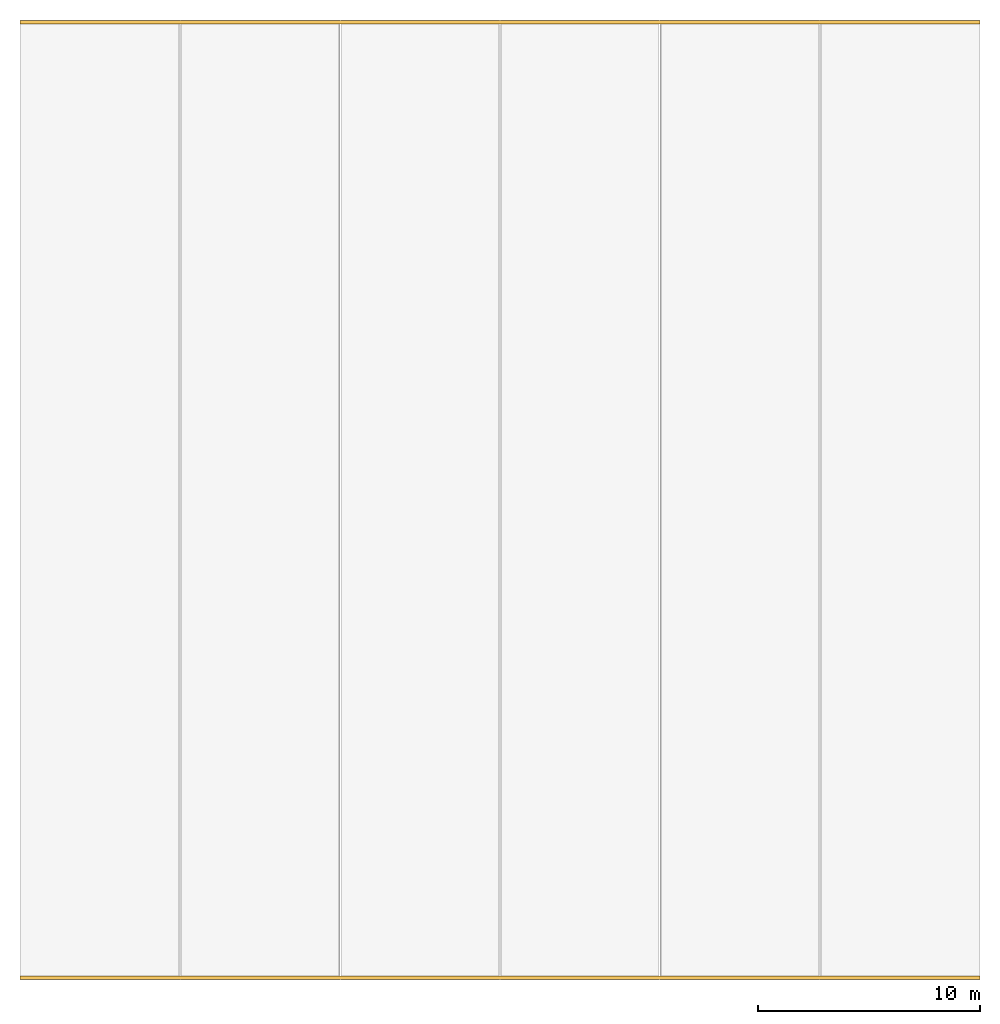
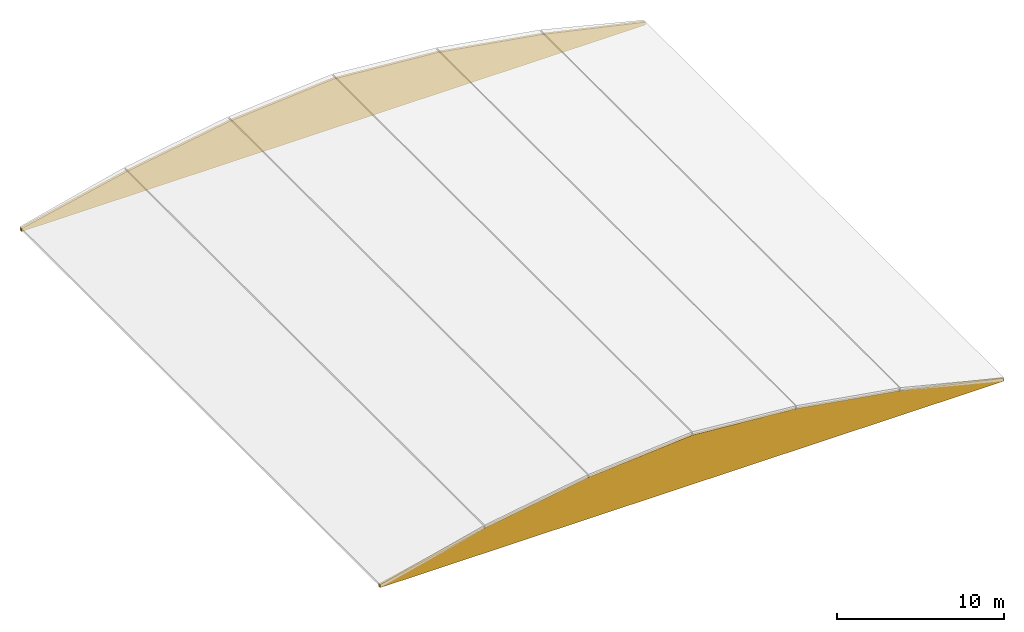
# One storey, part 2 of 2: 2 coverings.
"""IFC4 building model written with IfcOpenShell, lengths in metres."""

from ifc_helpers import new_model, si_unit, direction, frame, origin, place, context, subcontext, project, spatial, polyline, outline, extrude, material, layer, layer_set, type_object, element, save


model = new_model("IFC4")

# Units and contexts
model_context = context("Model", 3, precision=1e-05, world=origin(), true_north=direction((0.0, 1.0)))
body_context = subcontext(model_context, "Body", "Model", "MODEL_VIEW")
ifc_project = project(units=[si_unit("LENGTHUNIT", "METRE"), si_unit("AREAUNIT", "SQUARE_METRE"), si_unit("VOLUMEUNIT", "CUBIC_METRE"), si_unit("PLANEANGLEUNIT", "RADIAN"), si_unit("MASSUNIT", "GRAM", prefix="KILO")], contexts=[model_context])

# Site, building, storey
site_placement = place(None, origin())
site = spatial("IfcSite", under=ifc_project, at=site_placement, CompositionType="ELEMENT")
building_placement = place(site_placement, origin())
building = spatial("IfcBuilding", under=site, at=building_placement, Name="Cendaluz Park School", CompositionType="ELEMENT")
storey_placement = place(building_placement, frame((0.0, 0.0, 73.800048828125)))
storey = spatial("IfcBuildingStorey", under=building, at=storey_placement, Name="ROOF", CompositionType="ELEMENT", Elevation=73.800048828125)

# Coverings
ifc_material = material(Name="Tempered Low-E Double Glazing", Category="glass")
ifc_layer = layer(ifc_material, 0.159912109375)
ifc_layer_set = layer_set([ifc_layer], Name="Tempered Low-E Double Glazing")
covering_type = type_object("IfcCoveringType", Name="CV-LN01", PredefinedType="CLADDING", material=ifc_layer_set)
for number, where, z_axis, x_axis, name in (
    (1, (64.800048828125, 14.5, -2.06005859375), (0.0, 0.0, 1.0), (1.0, 0.0, 0.0), "CV-LN-L16-S"),
    (2, (64.800048828125, 57.5, -2.06005859375), (0.0, 0.0, 1.0), (1.0, 0.0, 0.0), "CV-LN-L16-N"),
):
    element("IfcCovering", number, at=place(storey_placement, frame(where, z_axis=z_axis, x_axis=x_axis)), inside=storey, type_object=covering_type, Name=name, PredefinedType="CLADDING", context=body_context, shape_type="SweptSolid", body=[
        extrude(outline(polyline([(0.0, 0.0), (43.199951171875, 0.0), (43.199951171875, 0.2099609375), (36.0, 1.820068359375), (28.800048828125, 3.02001953125), (21.60009765625, 3.60009765625), (14.39990234375, 3.02001953125), (7.199951171875, 1.820068359375), (0.0, 0.2099609375), (0.0, 0.0)])), frame((0.0, 0.080078125, 0.0), z_axis=(0.0, -1.0, 0.0), x_axis=(1.0, 0.0, 0.0)), (0.0, 0.0, 1.0), 0.159912109375),
    ])

save(model, "model.ifc")
